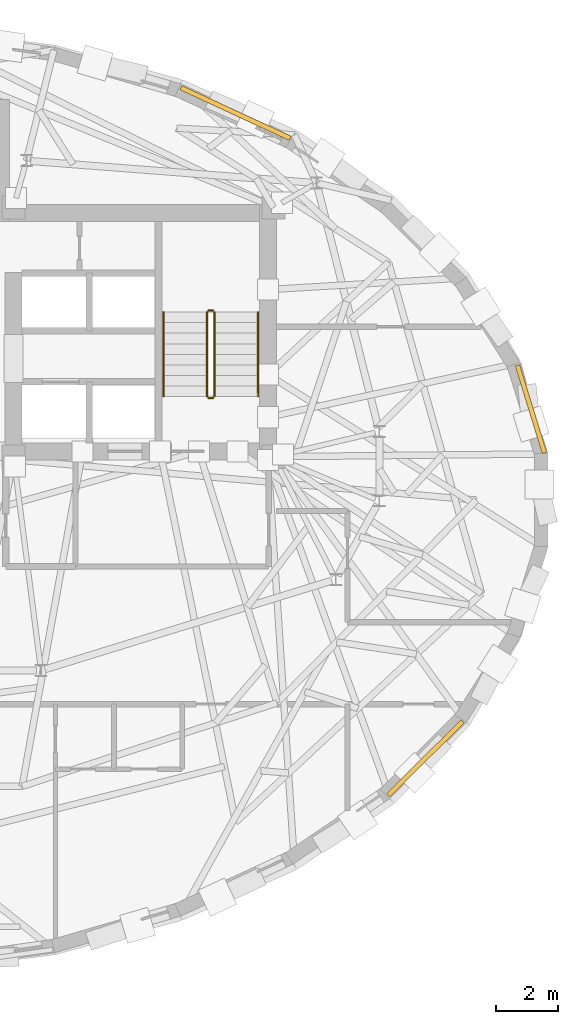
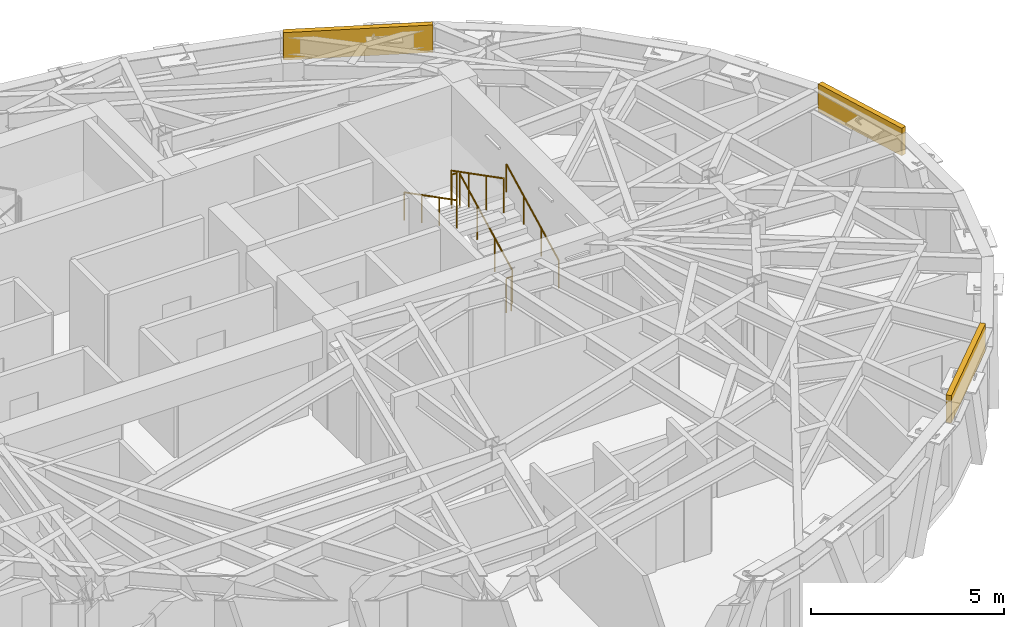
# One storey, part 12 of 12: 6 railings, 3 coverings.
"""IFC4 building model written with IfcOpenShell, lengths in metres."""

from ifc_helpers import new_model, si_unit, direction, frame, origin, origin_2d, place, context, subcontext, project, spatial, rectangle, circle, extrude, material, layer, layer_set, type_object, element, save


model = new_model("IFC4")

# Units and contexts
model_context = context("Model", 3, precision=1e-05, world=origin(), true_north=direction((0.0, 1.0)))
body_context = subcontext(model_context, "Body", "Model", "MODEL_VIEW")
ifc_project = project(units=[si_unit("LENGTHUNIT", "METRE"), si_unit("AREAUNIT", "SQUARE_METRE"), si_unit("VOLUMEUNIT", "CUBIC_METRE"), si_unit("PLANEANGLEUNIT", "RADIAN"), si_unit("MASSUNIT", "GRAM", prefix="KILO")], contexts=[model_context])

# Site, building, storey
site_placement = place(None, origin())
site = spatial("IfcSite", under=ifc_project, at=site_placement, CompositionType="ELEMENT")
building_placement = place(site_placement, origin())
building = spatial("IfcBuilding", under=site, at=building_placement, Name="Keldmark Tower", CompositionType="ELEMENT")
storey_placement = place(building_placement, frame((0.0, 0.0, 228.89990234375)))
storey = spatial("IfcBuildingStorey", under=building, at=storey_placement, Name="L64", CompositionType="ELEMENT", Elevation=228.89990234375)

# Coverings
ifc_material_1 = material(Name="Honed Kasota Buff Dolomitic Limestone", Category="masonry")
ifc_layer = layer(ifc_material_1, 0.074951171875)
ifc_layer_set = layer_set([ifc_layer], Name="Honed Kasota Buff Dolomitic Limestone")
covering_type = type_object("IfcCoveringType", Name="Kasota Buff Limestone Spandrel Cladding Band", PredefinedType="CLADDING", material=ifc_layer_set)
covering_1_placement = place(storey_placement, frame((21.92578125, 2.937744140625, 2.260009765625), z_axis=(0.0, 0.0, 1.0), x_axis=(-0.294974361802, 0.955505167898, 0.0)))
element("IfcCovering", 1, at=covering_1_placement, inside=storey, type_object=covering_type, Name="L64 Kasota Limestone Spandrel Band 01", PredefinedType="CLADDING", context=body_context, shape_type="SweptSolid", body=[
    extrude(rectangle(XDim=2.953857421875, YDim=0.14990234375, at=origin_2d()), origin(), (0.0, 0.0, 1.0), 0.8701171875),
])
covering_2_placement = place(storey_placement, frame((12.375, 12.509521484375, 2.260009765625), z_axis=(0.0, 0.0, 1.0), x_axis=(-0.907425760663, 0.420212433045, 0.0)))
element("IfcCovering", 2, at=covering_2_placement, inside=storey, type_object=covering_type, Name="L64 Kasota Limestone Spandrel Band 05", PredefinedType="CLADDING", context=body_context, shape_type="SweptSolid", body=[
    extrude(rectangle(XDim=3.888916015625, YDim=0.14990234375, at=origin_2d()), origin(), (0.0, 0.0, 1.0), 0.8701171875),
])
covering_3_placement = place(storey_placement, frame((18.516357421875, -8.345458984375, 2.260009765625), z_axis=(0.0, 0.0, 1.0), x_axis=(0.70954613973, 0.704658978226, 0.0)))
element("IfcCovering", 3, at=covering_3_placement, inside=storey, type_object=covering_type, Name="L64 Kasota Limestone Spandrel Band 29", PredefinedType="CLADDING", context=body_context, shape_type="SweptSolid", body=[
    extrude(rectangle(XDim=3.380859375, YDim=0.14990234375, at=origin_2d()), origin(), (0.0, 0.0, 1.0), 0.8701171875),
])

# Railings
ifc_material_2 = material(Name="Painted Steel ASTM A500 Grade B", Category="steel")
railing_type_1 = type_object("IfcRailingType", Name="Painted Steel Stair Well Guard 1100 mm", PredefinedType="GUARDRAIL", material=ifc_material_2)
railing_1_placement = place(storey_placement, frame((11.699951171875, 3.35009765625, 0.175048828125)))
element("IfcRailing", 4, at=railing_1_placement, inside=storey, type_object=railing_type_1, Name="L64 ST2 stair guard 1", PredefinedType="GUARDRAIL", context=body_context, shape_type="SweptSolid", body=[
    extrude(circle(Radius=0.02392578125, at=origin_2d()), frame((0.0, 0.0, 1.076171875), z_axis=(0.0, 0.889114319608, 0.457685182924), x_axis=(-1.0, 0.0, 0.0)), (0.0, 0.0, 1.0), 3.05908203125),
    extrude(circle(Radius=0.02099609375, at=origin_2d()), origin(), (0.0, 0.0, 1.0), 1.052001953125),
    extrude(circle(Radius=0.02099609375, at=origin_2d()), frame((0.0, 0.90673828125, 0.466796875)), (0.0, 0.0, 1.0), 1.052001953125),
    extrude(circle(Radius=0.02099609375, at=origin_2d()), frame((0.0, 1.813232421875, 0.933349609375)), (0.0, 0.0, 1.0), 1.052001953125),
    extrude(circle(Radius=0.02099609375, at=origin_2d()), frame((0.0, 2.719970703125, 1.400146484375)), (0.0, 0.0, 1.0), 1.052001953125),
])
railing_2_placement = place(storey_placement, frame((11.64990234375, 6.1201171875, 1.5751953125)))
element("IfcRailing", 5, at=railing_2_placement, inside=storey, type_object=railing_type_1, Name="L64 ST2 stair guard 2", PredefinedType="GUARDRAIL", context=body_context, shape_type="SweptSolid", body=[
    extrude(circle(Radius=0.02392578125, at=origin_2d()), frame((0.0, 0.0, 1.076171875), z_axis=(-1.0, 0.0, 0.0), x_axis=(0.0, -1.0, 0.0)), (0.0, 0.0, 1.0), 0.14990234375),
    extrude(circle(Radius=0.02099609375, at=origin_2d()), origin(), (0.0, 0.0, 1.0), 1.052001953125),
    extrude(circle(Radius=0.02099609375, at=origin_2d()), frame((-0.14990234375, 0.0, 0.0)), (0.0, 0.0, 1.0), 1.052001953125),
])
railing_3_placement = place(storey_placement, frame((11.449951171875, 6.070068359375, 1.75)))
element("IfcRailing", 6, at=railing_3_placement, inside=storey, type_object=railing_type_1, Name="L64 ST2 stair guard 3", PredefinedType="GUARDRAIL", context=body_context, shape_type="SweptSolid", body=[
    extrude(circle(Radius=0.02392578125, at=origin_2d()), frame((0.0, 0.0, 1.076171875), z_axis=(0.0, -0.889114319608, 0.457685182924), x_axis=(1.0, 0.0, 0.0)), (0.0, 0.0, 1.0), 3.05908203125),
    extrude(circle(Radius=0.02099609375, at=origin_2d()), origin(), (0.0, 0.0, 1.0), 1.052001953125),
    extrude(circle(Radius=0.02099609375, at=origin_2d()), frame((0.0, -0.90673828125, 0.466796875)), (0.0, 0.0, 1.0), 1.052001953125),
    extrude(circle(Radius=0.02099609375, at=origin_2d()), frame((0.0, -1.813232421875, 0.933349609375)), (0.0, 0.0, 1.0), 1.052001953125),
    extrude(circle(Radius=0.02099609375, at=origin_2d()), frame((0.0, -2.719970703125, 1.400146484375)), (0.0, 0.0, 1.0), 1.052001953125),
])
railing_4_placement = place(storey_placement, frame((11.64990234375, 3.300048828125, 0.0)))
element("IfcRailing", 7, at=railing_4_placement, inside=storey, type_object=railing_type_1, Name="L64 ST2 stair guard 4", PredefinedType="GUARDRAIL", context=body_context, shape_type="SweptSolid", body=[
    extrude(circle(Radius=0.02392578125, at=origin_2d()), frame((0.0, 0.0, 1.076171875), z_axis=(-1.0, 0.0, 0.0), x_axis=(0.0, -1.0, 0.0)), (0.0, 0.0, 1.0), 0.14990234375),
    extrude(circle(Radius=0.02099609375, at=origin_2d()), origin(), (0.0, 0.0, 1.0), 1.052001953125),
    extrude(circle(Radius=0.02099609375, at=origin_2d()), frame((-0.14990234375, 0.0, 0.0)), (0.0, 0.0, 1.0), 1.052001953125),
])
ifc_material_3 = material(Name="Stainless Steel AISI 316L", Category="steel")
railing_type_2 = type_object("IfcRailingType", Name="Stainless Steel Stair Handrail 900 mm", PredefinedType="HANDRAIL", material=ifc_material_3)
railing_5_placement = place(storey_placement, frame((13.10009765625, 3.35009765625, 0.175048828125)))
element("IfcRailing", 8, at=railing_5_placement, inside=storey, type_object=railing_type_2, Name="L64 ST2 stair handrail 1", PredefinedType="HANDRAIL", context=body_context, shape_type="SweptSolid", body=[
    extrude(circle(Radius=0.02392578125, at=origin_2d()), frame((0.0, 0.0, 0.8759765625), z_axis=(0.0, 0.889114319608, 0.457685182924), x_axis=(-1.0, 0.0, 0.0)), (0.0, 0.0, 1.0), 3.05908203125),
    extrude(circle(Radius=0.02099609375, at=origin_2d()), origin(), (0.0, 0.0, 1.0), 0.851806640625),
    extrude(circle(Radius=0.02099609375, at=origin_2d()), frame((0.0, 0.90673828125, 0.466796875)), (0.0, 0.0, 1.0), 0.851806640625),
    extrude(circle(Radius=0.02099609375, at=origin_2d()), frame((0.0, 1.813232421875, 0.933349609375)), (0.0, 0.0, 1.0), 0.851806640625),
    extrude(circle(Radius=0.02099609375, at=origin_2d()), frame((0.0, 2.719970703125, 1.400146484375)), (0.0, 0.0, 1.0), 0.851806640625),
])
railing_6_placement = place(storey_placement, frame((10.050048828125, 6.070068359375, 1.75)))
element("IfcRailing", 9, at=railing_6_placement, inside=storey, type_object=railing_type_2, Name="L64 ST2 stair handrail 2", PredefinedType="HANDRAIL", context=body_context, shape_type="SweptSolid", body=[
    extrude(circle(Radius=0.02392578125, at=origin_2d()), frame((0.0, 0.0, 0.8759765625), z_axis=(0.0, -0.889114319608, 0.457685182924), x_axis=(1.0, 0.0, 0.0)), (0.0, 0.0, 1.0), 3.05908203125),
    extrude(circle(Radius=0.02099609375, at=origin_2d()), origin(), (0.0, 0.0, 1.0), 0.851806640625),
    extrude(circle(Radius=0.02099609375, at=origin_2d()), frame((0.0, -0.90673828125, 0.466796875)), (0.0, 0.0, 1.0), 0.851806640625),
    extrude(circle(Radius=0.02099609375, at=origin_2d()), frame((0.0, -1.813232421875, 0.933349609375)), (0.0, 0.0, 1.0), 0.851806640625),
    extrude(circle(Radius=0.02099609375, at=origin_2d()), frame((0.0, -2.719970703125, 1.400146484375)), (0.0, 0.0, 1.0), 0.851806640625),
])

save(model, "model.ifc")
